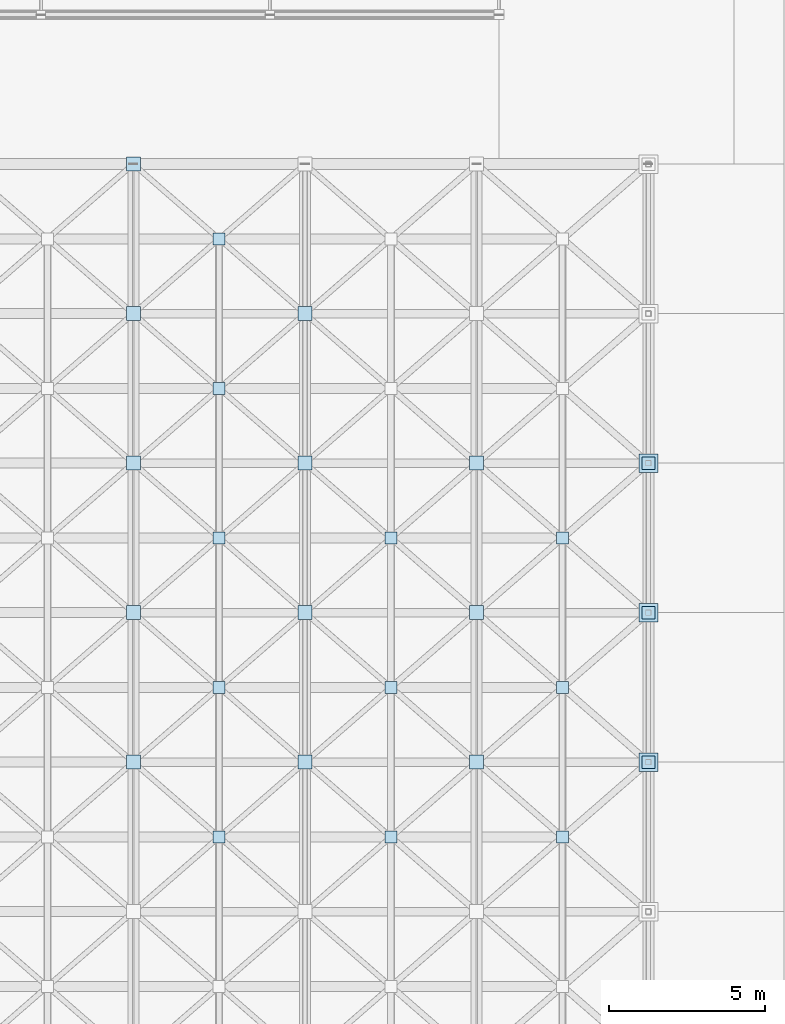
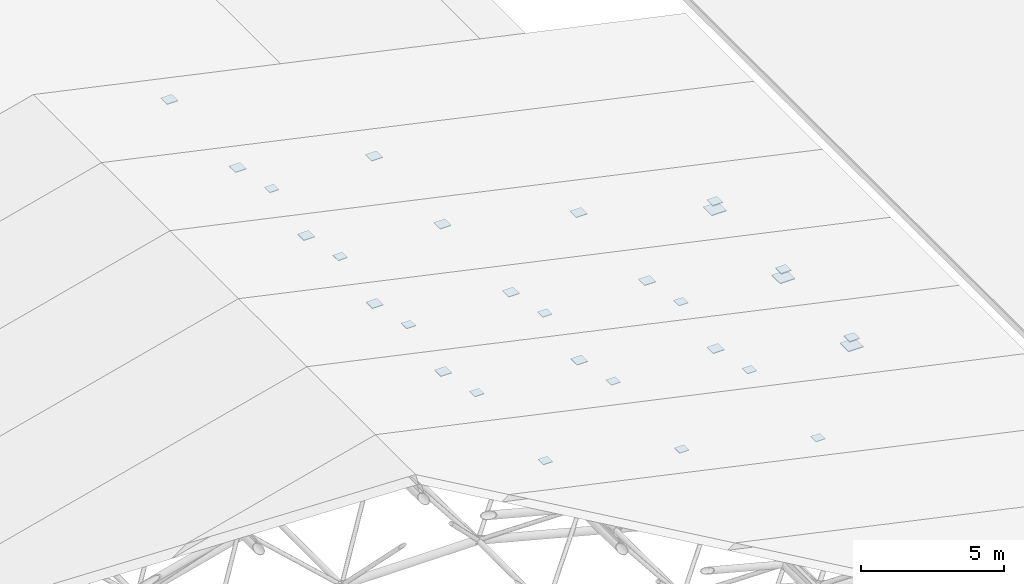
# One storey, part 50 of 60: 29 plates.
"""IFC4 building model written with IfcOpenShell, lengths in metres."""

from ifc_helpers import new_model, si_unit, direction, frame, origin, origin_2d, place, context, subcontext, project, spatial, rectangle, extrude, material, type_object, element, save


model = new_model("IFC4")

# Units and contexts
model_context = context("Model", 3, precision=1e-05, world=origin(), true_north=direction((0.0, 1.0)))
body_context = subcontext(model_context, "Body", "Model", "MODEL_VIEW")
ifc_project = project(units=[si_unit("LENGTHUNIT", "METRE"), si_unit("AREAUNIT", "SQUARE_METRE"), si_unit("VOLUMEUNIT", "CUBIC_METRE"), si_unit("PLANEANGLEUNIT", "RADIAN"), si_unit("MASSUNIT", "GRAM", prefix="KILO")], contexts=[model_context])

# Site, building, storey
site_placement = place(None, origin())
site = spatial("IfcSite", under=ifc_project, at=site_placement, CompositionType="ELEMENT")
building_placement = place(site_placement, origin())
building = spatial("IfcBuilding", under=site, at=building_placement, Name="Nakhvara Creek Congress Hotel", CompositionType="ELEMENT")
storey_placement = place(building_placement, frame((0.0, 0.0, 54.60009765625)))
storey = spatial("IfcBuildingStorey", under=building, at=storey_placement, Name="RL1", CompositionType="ELEMENT", Elevation=54.60009765625)

# Plates
ifc_material = material(Name="Steel S355J2", Category="steel")
plate_type_1 = type_object("IfcPlateType", Name="PLT-BASE-600X600X35", PredefinedType="USERDEFINED", material=ifc_material)
for number, where, z_axis, x_axis, name in (
    (1, (53.25, 67.199951171875, -35.39990234375), (0.0, 0.0, 1.0), (1.0, 0.0, 0.0), "Space-Frame Bearing Shoe SN04-072"),
    (2, (53.25, 72.0, -35.39990234375), (0.0, 0.0, 1.0), (1.0, 0.0, 0.0), "Space-Frame Bearing Shoe SN04-081"),
    (3, (53.25, 76.800048828125, -35.39990234375), (0.0, 0.0, 1.0), (1.0, 0.0, 0.0), "Space-Frame Bearing Shoe SN04-090"),
):
    element("IfcPlate", number, at=place(storey_placement, frame(where, z_axis=z_axis, x_axis=x_axis)), inside=storey, type_object=plate_type_1, Name=name, ObjectType="GUSSET_PLATE", PredefinedType="USERDEFINED", context=body_context, shape_type="SweptSolid", body=[
        extrude(rectangle(XDim=0.60009765625, YDim=0.60009765625, at=origin_2d()), origin(), (0.0, 0.0, 1.0), 0.034912109375),
    ])
plate_type_2 = type_object("IfcPlateType", Name="PLT-NODE-380X380X24", PredefinedType="USERDEFINED", material=ifc_material)
for number, where, z_axis, x_axis, name in (
    (4, (39.46875, 64.800048828125, -34.06201171875), (0.0, 0.0, 1.0), (1.0, 0.0, 0.0), "Congress Roof Truss Bottom Node Plate SN-162"),
    (5, (44.981201171875, 64.800048828125, -35.501953125), (0.0, 0.0, 1.0), (1.0, 0.0, 0.0), "Congress Roof Truss Bottom Node Plate SN-163"),
    (6, (50.49365234375, 64.800048828125, -36.942138671875), (0.0, 0.0, 1.0), (1.0, 0.0, 0.0), "Congress Roof Truss Bottom Node Plate SN-164"),
    (7, (39.46875, 69.60009765625, -34.06201171875), (0.0, 0.0, 1.0), (1.0, 0.0, 0.0), "Congress Roof Truss Bottom Node Plate SN-170"),
    (8, (44.981201171875, 69.60009765625, -35.501953125), (0.0, 0.0, 1.0), (1.0, 0.0, 0.0), "Congress Roof Truss Bottom Node Plate SN-171"),
    (9, (50.49365234375, 69.60009765625, -36.942138671875), (0.0, 0.0, 1.0), (1.0, 0.0, 0.0), "Congress Roof Truss Bottom Node Plate SN-172"),
    (10, (39.46875, 74.39990234375, -34.06201171875), (0.0, 0.0, 1.0), (1.0, 0.0, 0.0), "Congress Roof Truss Bottom Node Plate SN-178"),
    (11, (44.981201171875, 74.39990234375, -35.501953125), (0.0, 0.0, 1.0), (1.0, 0.0, 0.0), "Congress Roof Truss Bottom Node Plate SN-179"),
    (12, (50.49365234375, 74.39990234375, -36.942138671875), (0.0, 0.0, 1.0), (1.0, 0.0, 0.0), "Congress Roof Truss Bottom Node Plate SN-180"),
    (13, (39.46875, 79.199951171875, -34.06201171875), (0.0, 0.0, 1.0), (1.0, 0.0, 0.0), "Congress Roof Truss Bottom Node Plate SN-186"),
    (14, (39.46875, 84.0, -34.06201171875), (0.0, 0.0, 1.0), (1.0, 0.0, 0.0), "Congress Roof Truss Bottom Node Plate SN-194"),
):
    element("IfcPlate", number, at=place(storey_placement, frame(where, z_axis=z_axis, x_axis=x_axis)), inside=storey, type_object=plate_type_2, Name=name, ObjectType="GUSSET_PLATE", PredefinedType="USERDEFINED", context=body_context, shape_type="SweptSolid", body=[
        extrude(rectangle(XDim=0.3798828125, YDim=0.3798828125, at=origin_2d()), origin(), (0.0, 0.0, 1.0), 0.02392578125),
    ])
plate_type_3 = type_object("IfcPlateType", Name="PLT-NODE-410X410X26", PredefinedType="USERDEFINED", material=ifc_material)
for number, where, z_axis, x_axis, name in (
    (15, (53.25, 67.199951171875, -35.06298828125), (0.0, 0.0, 1.0), (1.0, 0.0, 0.0), "Congress Roof Truss Node Plate SN-072"),
    (16, (53.25, 72.0, -35.06298828125), (0.0, 0.0, 1.0), (1.0, 0.0, 0.0), "Congress Roof Truss Node Plate SN-081"),
    (17, (53.25, 76.800048828125, -35.06298828125), (0.0, 0.0, 1.0), (1.0, 0.0, 0.0), "Congress Roof Truss Node Plate SN-090"),
):
    element("IfcPlate", number, at=place(storey_placement, frame(where, z_axis=z_axis, x_axis=x_axis)), inside=storey, type_object=plate_type_3, Name=name, ObjectType="GUSSET_PLATE", PredefinedType="USERDEFINED", context=body_context, shape_type="SweptSolid", body=[
        extrude(rectangle(XDim=0.409912109375, YDim=0.409912109375, at=origin_2d()), origin(), (0.0, 0.0, 1.0), 0.02587890625),
    ])
plate_type_4 = type_object("IfcPlateType", Name="PLT-NODE-450X450X28", PredefinedType="USERDEFINED", material=ifc_material)
for number, where, z_axis, x_axis, name in (
    (18, (36.71240234375, 67.199951171875, -30.744140625), (0.0, 0.0, 1.0), (1.0, 0.0, 0.0), "Congress Roof Truss Node Plate SN-069"),
    (19, (42.22509765625, 67.199951171875, -32.18408203125), (0.0, 0.0, 1.0), (1.0, 0.0, 0.0), "Congress Roof Truss Node Plate SN-070"),
    (20, (47.737548828125, 67.199951171875, -33.6240234375), (0.0, 0.0, 1.0), (1.0, 0.0, 0.0), "Congress Roof Truss Node Plate SN-071"),
    (21, (36.71240234375, 72.0, -30.744140625), (0.0, 0.0, 1.0), (1.0, 0.0, 0.0), "Congress Roof Truss Node Plate SN-078"),
    (22, (42.22509765625, 72.0, -32.18408203125), (0.0, 0.0, 1.0), (1.0, 0.0, 0.0), "Congress Roof Truss Node Plate SN-079"),
    (23, (47.737548828125, 72.0, -33.6240234375), (0.0, 0.0, 1.0), (1.0, 0.0, 0.0), "Congress Roof Truss Node Plate SN-080"),
    (24, (36.71240234375, 76.800048828125, -30.744140625), (0.0, 0.0, 1.0), (1.0, 0.0, 0.0), "Congress Roof Truss Node Plate SN-087"),
    (25, (42.22509765625, 76.800048828125, -32.18408203125), (0.0, 0.0, 1.0), (1.0, 0.0, 0.0), "Congress Roof Truss Node Plate SN-088"),
    (26, (47.737548828125, 76.800048828125, -33.6240234375), (0.0, 0.0, 1.0), (1.0, 0.0, 0.0), "Congress Roof Truss Node Plate SN-089"),
    (27, (36.71240234375, 81.60009765625, -30.744140625), (0.0, 0.0, 1.0), (1.0, 0.0, 0.0), "Congress Roof Truss Node Plate SN-096"),
    (28, (42.22509765625, 81.60009765625, -32.18408203125), (0.0, 0.0, 1.0), (1.0, 0.0, 0.0), "Congress Roof Truss Node Plate SN-097"),
    (29, (36.71240234375, 86.39990234375, -30.744140625), (0.0, 0.0, 1.0), (1.0, 0.0, 0.0), "Congress Roof Truss Node Plate SN-105"),
):
    element("IfcPlate", number, at=place(storey_placement, frame(where, z_axis=z_axis, x_axis=x_axis)), inside=storey, type_object=plate_type_4, Name=name, ObjectType="GUSSET_PLATE", PredefinedType="USERDEFINED", context=body_context, shape_type="SweptSolid", body=[
        extrude(rectangle(XDim=0.449951171875, YDim=0.449951171875, at=origin_2d()), origin(), (0.0, 0.0, 1.0), 0.028076171875),
    ])

save(model, "model.ifc")
